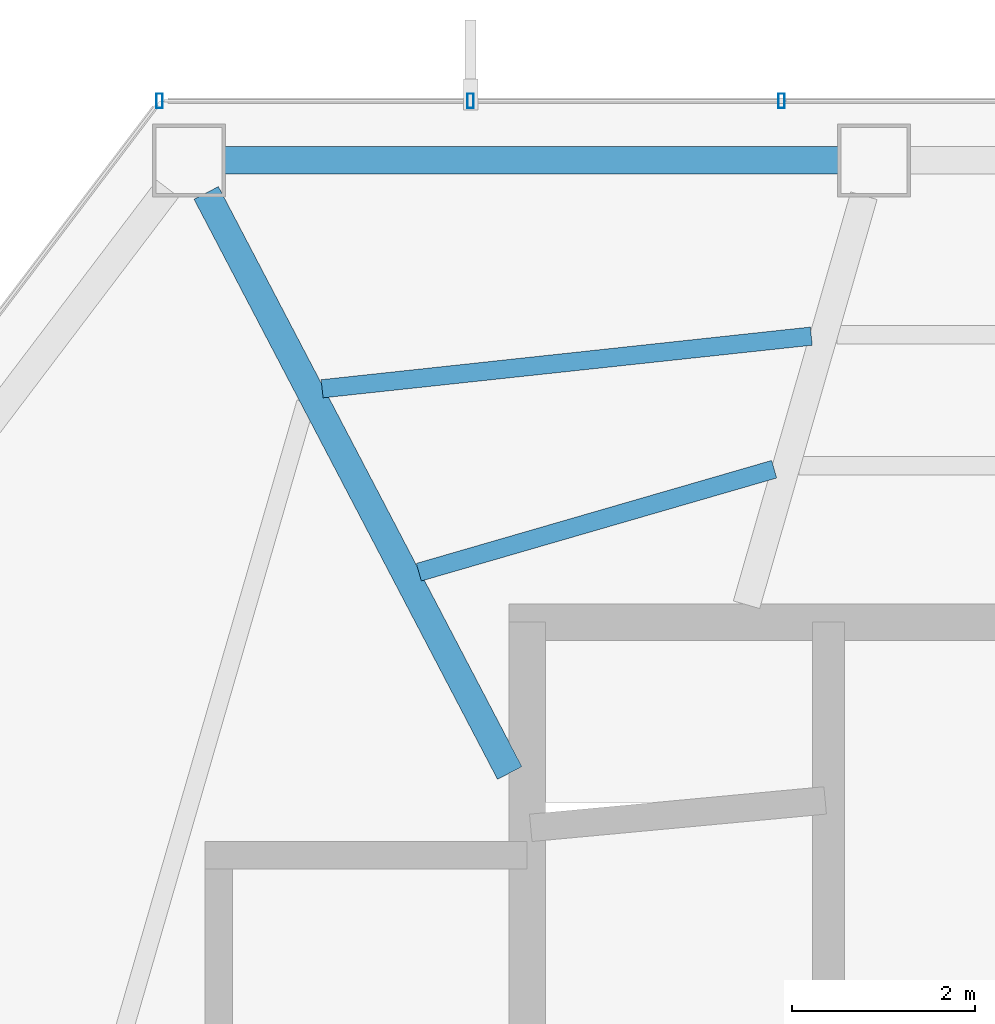
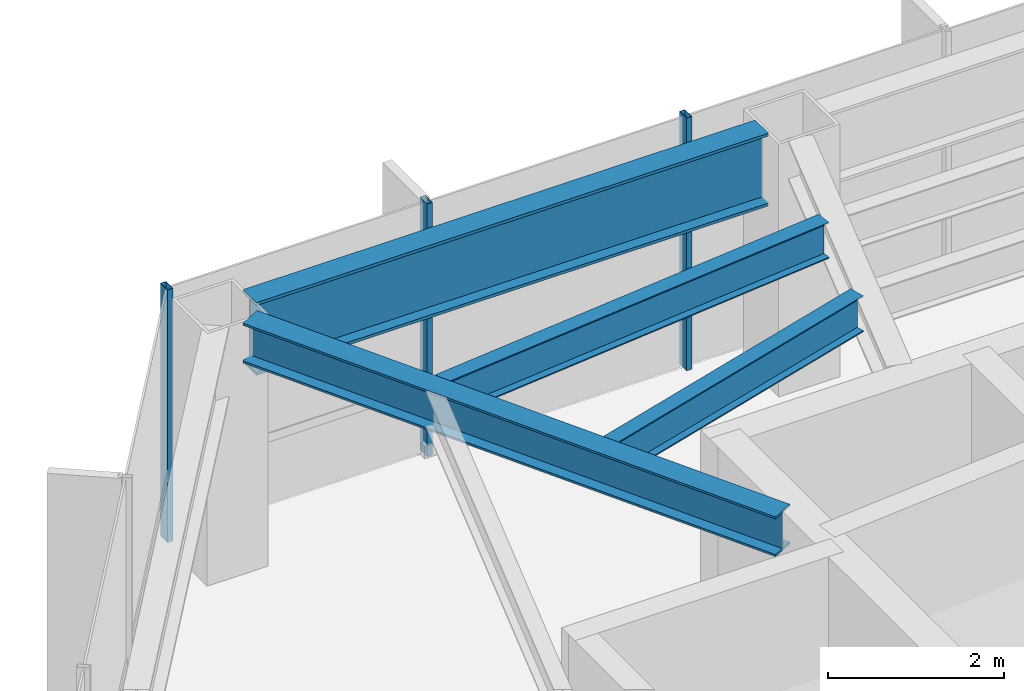
# One storey, part 13 of 29: 4 beams, 3 members, 1 element without a shape of its own.
"""IFC4 building model written with IfcOpenShell, lengths in metres."""

from ifc_helpers import new_model, si_unit, direction, frame, origin, origin_2d, place, context, subcontext, project, spatial, hollow_rectangle, i_section, extrude, material, layer, layer_set, material_profile, profile_set, type_object, element, aggregate, save


model = new_model("IFC4")

# Units and contexts
model_context = context("Model", 3, precision=1e-05, world=origin(), true_north=direction((0.0, 1.0)))
body_context = subcontext(model_context, "Body", "Model", "MODEL_VIEW")
ifc_project = project(units=[si_unit("LENGTHUNIT", "METRE"), si_unit("AREAUNIT", "SQUARE_METRE"), si_unit("VOLUMEUNIT", "CUBIC_METRE"), si_unit("PLANEANGLEUNIT", "RADIAN"), si_unit("MASSUNIT", "GRAM", prefix="KILO")], contexts=[model_context])

# Site, building, storey
site_placement = place(None, origin())
site = spatial("IfcSite", under=ifc_project, at=site_placement, CompositionType="ELEMENT")
building_placement = place(site_placement, origin())
building = spatial("IfcBuilding", under=site, at=building_placement, Name="Zarrinselat Tower", CompositionType="ELEMENT")
storey_placement = place(building_placement, frame((0.0, 0.0, 134.639892578125)))
storey = spatial("IfcBuildingStorey", under=building, at=storey_placement, Name="L32", CompositionType="ELEMENT", Elevation=134.639892578125)

# Beams
ifc_material_1 = material(Name="Steel S355J2", Category="steel")
ifc_material_profile_1 = material_profile(ifc_material_1, i_section(OverallWidth=0.300048828125, OverallDepth=0.550048828125, WebThickness=0.014892578125, FlangeThickness=0.029052734375, at=origin_2d()), Name="HEB 550")
ifc_profile_set_1 = profile_set([ifc_material_profile_1], Name="Steel S355J2")
beam_type_1 = type_object("IfcBeamType", Name="BM-HEB550", PredefinedType="BEAM", material=ifc_profile_set_1)
beam_1_placement = place(storey_placement, frame((25.0908203125, 48.143798828125, 3.22509765625), z_axis=(0.463587732744, -0.88605102226, 0.0), x_axis=(0.88605102226, 0.463587732744, 0.0)))
element("IfcBeam", 1, at=beam_1_placement, inside=storey, type_object=beam_type_1, Name="L32 Radial Primary Girder RG05", PredefinedType="BEAM", context=body_context, shape_type="SweptSolid", body=[
    extrude(i_section(OverallWidth=0.300048828125, OverallDepth=0.550048828125, WebThickness=0.014892578125, FlangeThickness=0.029052734375, at=origin_2d()), origin(), (0.0, 0.0, 1.0), 7.15966796875),
])
ifc_material_2 = material(Name="Steel S460M", Category="steel")
ifc_material_profile_2 = material_profile(ifc_material_2, i_section(OverallWidth=0.302001953125, OverallDepth=1.008056640625, WebThickness=0.02099609375, FlangeThickness=0.0400390625, at=origin_2d()), Name="HEM 1000")
ifc_profile_set_2 = profile_set([ifc_material_profile_2], Name="Steel S460M")
beam_type_2 = type_object("IfcBeamType", Name="BM-HEM1000", PredefinedType="BEAM", material=ifc_profile_set_2)
beam_2_placement = place(storey_placement, frame((25.29248046875, 48.5, 2.99609375), z_axis=(1.0, 0.0, 0.0), x_axis=(0.0, 1.0, 0.0)))
element("IfcBeam", 2, at=beam_2_placement, inside=storey, type_object=beam_type_2, Name="L32 Perimeter Spandrel Girder SP04", PredefinedType="BEAM", context=body_context, shape_type="SweptSolid", body=[
    extrude(i_section(OverallWidth=0.302001953125, OverallDepth=1.008056640625, WebThickness=0.02099609375, FlangeThickness=0.0400390625, at=origin_2d()), origin(), (0.0, 0.0, 1.0), 6.714111328125),
])
ifc_material_3 = material(Name="Steel S355J2", Category="steel")
ifc_material_profile_3 = material_profile(ifc_material_3, i_section(OverallWidth=0.199951171875, OverallDepth=0.5, WebThickness=0.01025390625, FlangeThickness=0.01611328125, at=origin_2d()), Name="IPE 500")
ifc_profile_set_3 = profile_set([ifc_material_profile_3], Name="Steel S355J2")
beam_type_3 = type_object("IfcBeamType", Name="BM-IPE500", PredefinedType="JOIST", material=ifc_profile_set_3)
beam_3_placement = place(storey_placement, frame((26.3583984375, 46.001953125, 3.25), z_axis=(0.994259609148, 0.106994530776, 0.0), x_axis=(-0.106994530776, 0.994259609148, 0.0)))
element("IfcBeam", 3, at=beam_3_placement, inside=storey, type_object=beam_type_3, Name="L32 Composite Floor Joist 9-1", PredefinedType="JOIST", context=body_context, shape_type="SweptSolid", body=[
    extrude(i_section(OverallWidth=0.199951171875, OverallDepth=0.5, WebThickness=0.01025390625, FlangeThickness=0.01611328125, at=origin_2d()), origin(), (0.0, 0.0, 1.0), 5.380615234375),
])
beam_4_placement = place(storey_placement, frame((27.416015625, 43.995849609375, 3.25), z_axis=(0.960476420644, 0.278361357569, 0.0), x_axis=(-0.278361357569, 0.960476420644, 0.0)))
element("IfcBeam", 4, at=beam_4_placement, inside=storey, type_object=beam_type_3, Name="L32 Composite Floor Joist 9-2", PredefinedType="JOIST", context=body_context, shape_type="SweptSolid", body=[
    extrude(i_section(OverallWidth=0.199951171875, OverallDepth=0.5, WebThickness=0.01025390625, FlangeThickness=0.01611328125, at=origin_2d()), origin(), (0.0, 0.0, 1.0), 4.0458984375),
])

# Curtain wall, members
ifc_material_4 = material(Name="Extruded Aluminium Alloy EN AW-6063 T6", Category="aluminium")
ifc_layer = layer(ifc_material_4, 0.175048828125)
ifc_layer_set = layer_set([ifc_layer], Name="Extruded Aluminium Alloy EN AW-6063 T6")
curtain_wall_type = type_object("IfcCurtainWallType", Name="CWS-HTL", PredefinedType="NOTDEFINED", material=ifc_layer_set)
curtain_wall_placement = place(storey_placement, origin())
curtain_wall = element("IfcCurtainWall", 5, at=curtain_wall_placement, inside=storey, type_object=curtain_wall_type, Name="L32 Unitised Curtain Wall CW-L32-E01", PredefinedType="NOTDEFINED")
ifc_material_5 = material(Name="Extruded Aluminium Alloy EN AW-6063 T6", Category="aluminium")
ifc_material_profile_4 = material_profile(ifc_material_5, hollow_rectangle(XDim=0.070068359375, YDim=0.159912109375, WallThickness=0.00390625, at=origin_2d()), Name="RHS 160x70x4")
ifc_profile_set_4 = profile_set([ifc_material_profile_4], Name="Extruded Aluminium Alloy EN AW-6063 T6")
member_type = type_object("IfcMemberType", Name="MEM-CW-MUL2", PredefinedType="MULLION", material=ifc_profile_set_4)
member_1_placement = place(storey_placement, frame((31.3828125, 49.14990234375, 0.0), z_axis=(0.0, 0.0, 1.0), x_axis=(-1.0, 0.0, 0.0)))
member_1 = element("IfcMember", 6, at=member_1_placement, type_object=member_type, Name="CW-L32-E01 Mullion 8", PredefinedType="MULLION", context=body_context, shape_type="SweptSolid", body=[
    extrude(hollow_rectangle(XDim=0.070068359375, YDim=0.159912109375, WallThickness=0.00390625, at=origin_2d()), origin(), (0.0, 0.0, 1.0), 3.5),
])
member_2_placement = place(storey_placement, frame((27.982177734375, 49.14990234375, 0.0), z_axis=(0.0, 0.0, 1.0), x_axis=(-1.0, 0.0, 0.0)))
member_2 = element("IfcMember", 7, at=member_2_placement, type_object=member_type, Name="CW-L32-E01 Mullion 9", PredefinedType="MULLION", context=body_context, shape_type="SweptSolid", body=[
    extrude(hollow_rectangle(XDim=0.070068359375, YDim=0.159912109375, WallThickness=0.00390625, at=origin_2d()), origin(), (0.0, 0.0, 1.0), 3.5),
])
member_3_placement = place(storey_placement, frame((24.581298828125, 49.14990234375, 0.0), z_axis=(0.0, 0.0, 1.0), x_axis=(-1.0, 0.0, 0.0)))
member_3 = element("IfcMember", 8, at=member_3_placement, type_object=member_type, Name="CW-L32-E01 Mullion 10", PredefinedType="MULLION", context=body_context, shape_type="SweptSolid", body=[
    extrude(hollow_rectangle(XDim=0.070068359375, YDim=0.159912109375, WallThickness=0.00390625, at=origin_2d()), origin(), (0.0, 0.0, 1.0), 3.5),
])
aggregate(curtain_wall, [member_1, member_2, member_3])

save(model, "model.ifc")
